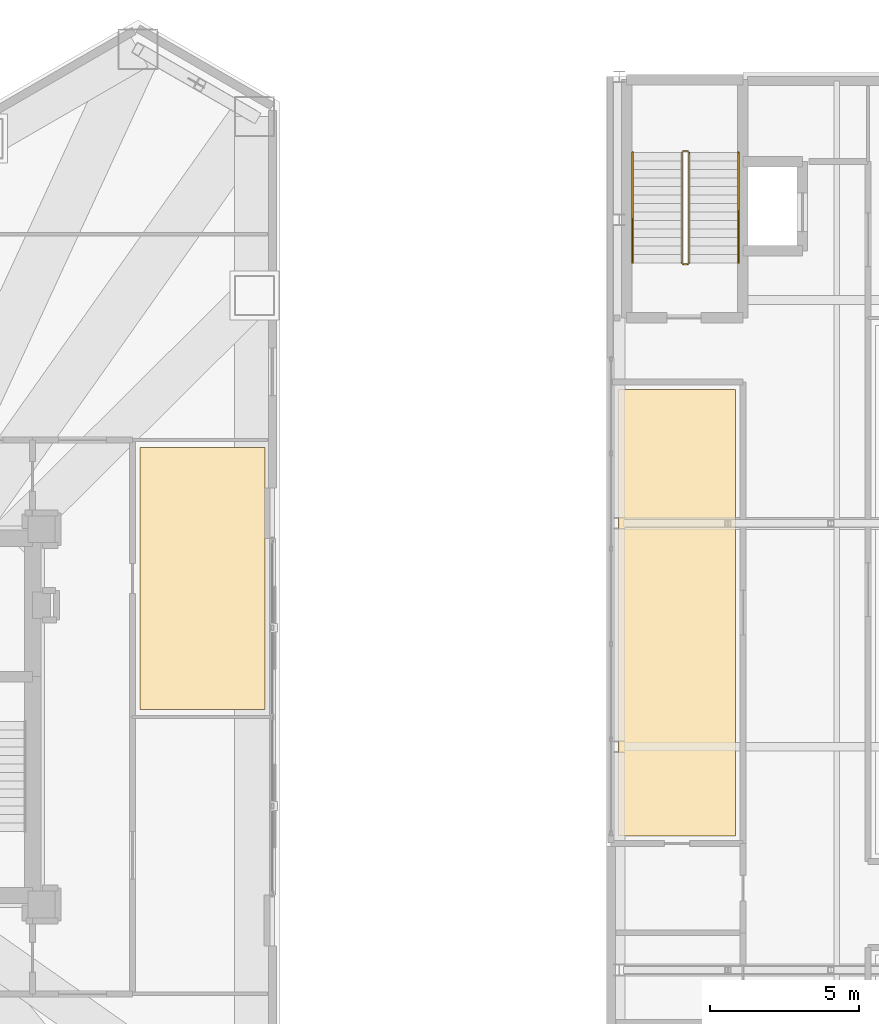
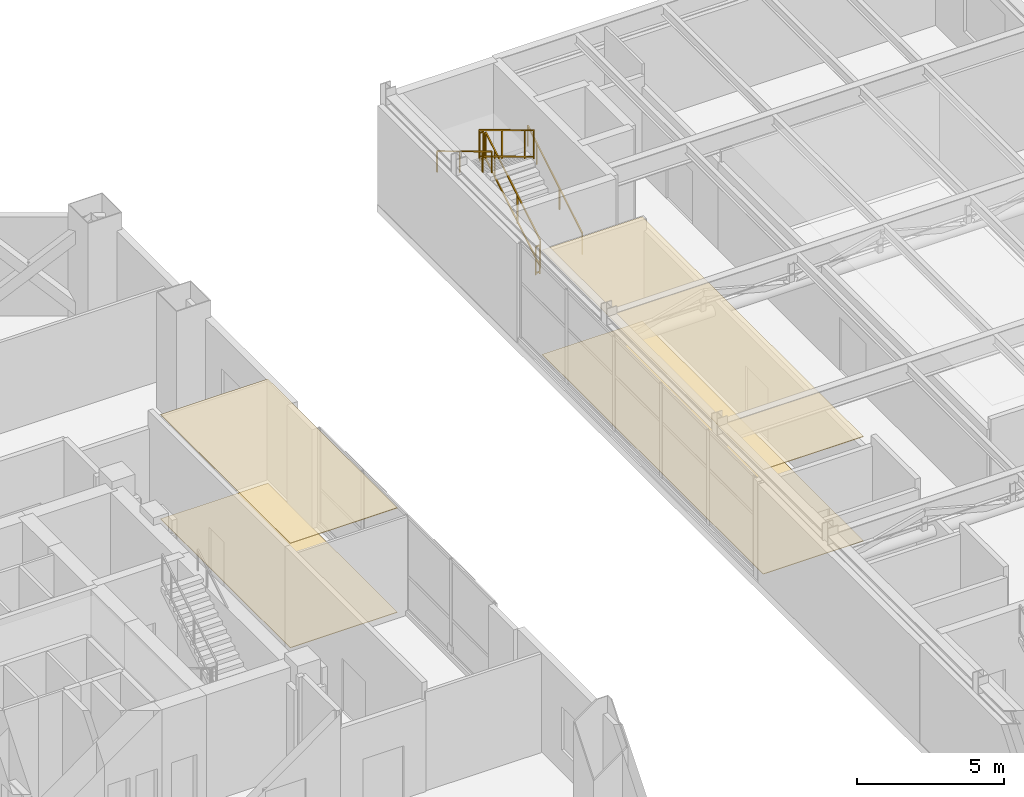
# One storey, part 28 of 29: 6 railings, 4 coverings.
"""IFC4 building model written with IfcOpenShell, lengths in metres."""

from ifc_helpers import new_model, si_unit, direction, frame, origin, origin_2d, place, context, subcontext, project, spatial, polyline, rectangle, outline, extrude, material, layer, layer_set, type_object, element, save


model = new_model("IFC4")

# Units and contexts
model_context = context("Model", 3, precision=1e-05, world=origin(), true_north=direction((0.0, 1.0)))
body_context = subcontext(model_context, "Body", "Model", "MODEL_VIEW")
ifc_project = project(units=[si_unit("LENGTHUNIT", "METRE"), si_unit("AREAUNIT", "SQUARE_METRE"), si_unit("VOLUMEUNIT", "CUBIC_METRE"), si_unit("PLANEANGLEUNIT", "RADIAN"), si_unit("MASSUNIT", "GRAM", prefix="KILO")], contexts=[model_context])

# Site, building, storey
site_placement = place(None, origin())
site = spatial("IfcSite", under=ifc_project, at=site_placement, CompositionType="ELEMENT")
building_placement = place(site_placement, origin())
building = spatial("IfcBuilding", under=site, at=building_placement, Name="Mersakhor Tower and Convention Hall", CompositionType="ELEMENT")
storey_placement = place(building_placement, frame((0.0, 0.0, 9.60009765625)))
storey = spatial("IfcBuildingStorey", under=building, at=storey_placement, Name="L02", CompositionType="ELEMENT", Elevation=9.60009765625)

# Coverings
ifc_material_1 = material(Name="Acoustic mineral-fibre suspended ceiling", Category="other")
ifc_layer_1 = layer(ifc_material_1, 0.02490234375)
ifc_layer_set_1 = layer_set([ifc_layer_1], Name="Acoustic mineral-fibre suspended ceiling")
covering_type_1 = type_object("IfcCoveringType", Name="COV-CLG-25", PredefinedType="CEILING", material=ifc_layer_set_1)
covering_1_placement = place(storey_placement, frame((0.0, 0.0, 4.31982421875)))
element("IfcCovering", 1, at=covering_1_placement, inside=storey, type_object=covering_type_1, Name="L02 Plenary Pre-Function Gallery Acoustic Suspended Ceiling", PredefinedType="CEILING", context=body_context, shape_type="SweptSolid", body=[
    extrude(outline(polyline([(55.47509765625, 37.75), (59.39990234375, 37.75), (59.39990234375, 22.75), (55.47509765625, 22.75), (55.47509765625, 37.75)])), origin(), (0.0, 0.0, 1.0), 0.025146484375),
])
covering_2_placement = place(storey_placement, frame((0.0, 0.0, 4.31982421875)))
element("IfcCovering", 2, at=covering_2_placement, inside=storey, type_object=covering_type_1, Name="L02 Patient Waiting Lounge Acoustic Suspended Ceiling", PredefinedType="CEILING", context=body_context, shape_type="SweptSolid", body=[
    extrude(outline(polyline([(39.39990234375, 27.0), (39.39990234375, 35.800048828125), (43.60009765625, 35.800048828125), (43.60009765625, 27.0), (39.39990234375, 27.0)])), origin(), (0.0, 0.0, 1.0), 0.025146484375),
])
ifc_material_2 = material(Name="Polished porcelain tile flooring", Category="other")
ifc_layer_2 = layer(ifc_material_2, 0.02001953125)
ifc_layer_set_2 = layer_set([ifc_layer_2], Name="Polished porcelain tile flooring")
covering_type_2 = type_object("IfcCoveringType", Name="COV-FLR-20", PredefinedType="FLOORING", material=ifc_layer_set_2)
covering_3_placement = place(storey_placement, origin())
element("IfcCovering", 3, at=covering_3_placement, inside=storey, type_object=covering_type_2, Name="L02 Plenary Pre-Function Gallery Porcelain Floor Finish", PredefinedType="FLOORING", context=body_context, shape_type="SweptSolid", body=[
    extrude(outline(polyline([(55.47509765625, 37.75), (59.39990234375, 37.75), (59.39990234375, 22.75), (55.47509765625, 22.75), (55.47509765625, 37.75)])), origin(), (0.0, 0.0, 1.0), 0.02001953125),
])
covering_4_placement = place(storey_placement, origin())
element("IfcCovering", 4, at=covering_4_placement, inside=storey, type_object=covering_type_2, Name="L02 Patient Waiting Lounge Porcelain Floor Finish", PredefinedType="FLOORING", context=body_context, shape_type="SweptSolid", body=[
    extrude(outline(polyline([(39.39990234375, 27.0), (39.39990234375, 35.800048828125), (43.60009765625, 35.800048828125), (43.60009765625, 27.0), (39.39990234375, 27.0)])), origin(), (0.0, 0.0, 1.0), 0.02001953125),
])

# Railings
ifc_material_3 = material(Name="Brushed stainless steel handrail", Category="steel")
railing_type_1 = type_object("IfcRailingType", Name="RL-HR-900", PredefinedType="HANDRAIL", material=ifc_material_3)
railing_1_placement = place(storey_placement, frame((59.5, 42.0, 0.17138671875)))
element("IfcRailing", 5, at=railing_1_placement, inside=storey, type_object=railing_type_1, Name="L02 CH-ST2 stair handrail 1", PredefinedType="HANDRAIL", context=body_context, shape_type="SweptSolid", body=[
    extrude(rectangle(XDim=0.048095703125, YDim=0.048095703125, at=origin_2d()), frame((0.0, 0.0, 0.8759765625), z_axis=(0.0, 0.856934400257, 0.515425487977), x_axis=(-1.0, 0.0, 0.0)), (0.0, 0.0, 1.0), 4.32373046875),
    extrude(rectangle(XDim=0.0419921875, YDim=0.0419921875, at=origin_2d()), origin(), (0.0, 0.0, 1.0), 0.851806640625),
    extrude(rectangle(XDim=0.0419921875, YDim=0.0419921875, at=origin_2d()), frame((0.0, 1.54248046875, 0.927734375)), (0.0, 0.0, 1.0), 0.851806640625),
    extrude(rectangle(XDim=0.0419921875, YDim=0.0419921875, at=origin_2d()), frame((0.0, 3.0849609375, 1.85546875)), (0.0, 0.0, 1.0), 0.851806640625),
    extrude(rectangle(XDim=0.0419921875, YDim=0.0419921875, at=origin_2d()), frame((0.0, 3.705078125, 2.228515625)), (0.0, 0.0, 1.0), 0.851806640625),
])
railing_2_placement = place(storey_placement, frame((55.949951171875, 45.705078125, 2.5712890625)))
element("IfcRailing", 6, at=railing_2_placement, inside=storey, type_object=railing_type_1, Name="L02 CH-ST2 stair handrail 2", PredefinedType="HANDRAIL", context=body_context, shape_type="SweptSolid", body=[
    extrude(rectangle(XDim=0.048095703125, YDim=0.048095703125, at=origin_2d()), frame((0.0, 0.0, 0.8759765625), z_axis=(0.0, -0.856934400257, 0.515425487977), x_axis=(1.0, 0.0, 0.0)), (0.0, 0.0, 1.0), 4.32373046875),
    extrude(rectangle(XDim=0.0419921875, YDim=0.0419921875, at=origin_2d()), origin(), (0.0, 0.0, 1.0), 0.851806640625),
    extrude(rectangle(XDim=0.0419921875, YDim=0.0419921875, at=origin_2d()), frame((0.0, -1.54248046875, 0.927734375)), (0.0, 0.0, 1.0), 0.851806640625),
    extrude(rectangle(XDim=0.0419921875, YDim=0.0419921875, at=origin_2d()), frame((0.0, -3.0849609375, 1.85546875)), (0.0, 0.0, 1.0), 0.851806640625),
    extrude(rectangle(XDim=0.0419921875, YDim=0.0419921875, at=origin_2d()), frame((0.0, -3.705078125, 2.228515625)), (0.0, 0.0, 1.0), 0.851806640625),
])
ifc_material_4 = material(Name="Painted steel stair balustrade S355", Category="steel")
railing_type_2 = type_object("IfcRailingType", Name="RL-STG-1200", PredefinedType="BALUSTRADE", material=ifc_material_4)
railing_3_placement = place(storey_placement, frame((57.85009765625, 42.0, 0.17138671875)))
element("IfcRailing", 7, at=railing_3_placement, inside=storey, type_object=railing_type_2, Name="L02 CH-ST2 stair guard 1", PredefinedType="BALUSTRADE", context=body_context, shape_type="SweptSolid", body=[
    extrude(rectangle(XDim=0.048095703125, YDim=0.048095703125, at=origin_2d()), frame((0.0, 0.0, 1.17578125), z_axis=(0.0, 0.856934400257, 0.515425487977), x_axis=(-1.0, 0.0, 0.0)), (0.0, 0.0, 1.0), 4.32373046875),
    extrude(rectangle(XDim=0.048095703125, YDim=0.048095703125, at=origin_2d()), frame((0.0, 0.0, 0.080078125), z_axis=(0.0, 0.856934400257, 0.515425487977), x_axis=(-1.0, 0.0, 0.0)), (0.0, 0.0, 1.0), 4.32373046875),
    extrude(rectangle(XDim=0.0419921875, YDim=0.0419921875, at=origin_2d()), origin(), (0.0, 0.0, 1.0), 1.15185546875),
    extrude(rectangle(XDim=0.0419921875, YDim=0.0419921875, at=origin_2d()), frame((0.0, 1.54248046875, 0.927734375)), (0.0, 0.0, 1.0), 1.15185546875),
    extrude(rectangle(XDim=0.0419921875, YDim=0.0419921875, at=origin_2d()), frame((0.0, 3.0849609375, 1.85546875)), (0.0, 0.0, 1.0), 1.15185546875),
    extrude(rectangle(XDim=0.0419921875, YDim=0.0419921875, at=origin_2d()), frame((0.0, 3.705078125, 2.228515625)), (0.0, 0.0, 1.0), 1.15185546875),
])
railing_4_placement = place(storey_placement, frame((57.800048828125, 45.7548828125, 2.39990234375)))
element("IfcRailing", 8, at=railing_4_placement, inside=storey, type_object=railing_type_2, Name="L02 CH-ST2 stair guard 2", PredefinedType="BALUSTRADE", context=body_context, shape_type="SweptSolid", body=[
    extrude(rectangle(XDim=0.048095703125, YDim=0.048095703125, at=origin_2d()), frame((0.0, 0.0, 1.17578125), z_axis=(-1.0, 0.0, 0.0), x_axis=(0.0, -1.0, 0.0)), (0.0, 0.0, 1.0), 0.150146484375),
    extrude(rectangle(XDim=0.048095703125, YDim=0.048095703125, at=origin_2d()), frame((0.0, 0.0, 0.080078125), z_axis=(-1.0, 0.0, 0.0), x_axis=(0.0, -1.0, 0.0)), (0.0, 0.0, 1.0), 0.150146484375),
    extrude(rectangle(XDim=0.0419921875, YDim=0.0419921875, at=origin_2d()), origin(), (0.0, 0.0, 1.0), 1.15185546875),
    extrude(rectangle(XDim=0.0419921875, YDim=0.0419921875, at=origin_2d()), frame((-0.150146484375, 0.0, 0.0)), (0.0, 0.0, 1.0), 1.15185546875),
])
railing_5_placement = place(storey_placement, frame((57.60009765625, 45.705078125, 2.5712890625)))
element("IfcRailing", 9, at=railing_5_placement, inside=storey, type_object=railing_type_2, Name="L02 CH-ST2 stair guard 3", PredefinedType="BALUSTRADE", context=body_context, shape_type="SweptSolid", body=[
    extrude(rectangle(XDim=0.048095703125, YDim=0.048095703125, at=origin_2d()), frame((0.0, 0.0, 1.17578125), z_axis=(0.0, -0.856934400257, 0.515425487977), x_axis=(1.0, 0.0, 0.0)), (0.0, 0.0, 1.0), 4.32373046875),
    extrude(rectangle(XDim=0.048095703125, YDim=0.048095703125, at=origin_2d()), frame((0.0, 0.0, 0.080078125), z_axis=(0.0, -0.856934400257, 0.515425487977), x_axis=(1.0, 0.0, 0.0)), (0.0, 0.0, 1.0), 4.32373046875),
    extrude(rectangle(XDim=0.0419921875, YDim=0.0419921875, at=origin_2d()), origin(), (0.0, 0.0, 1.0), 1.15185546875),
    extrude(rectangle(XDim=0.0419921875, YDim=0.0419921875, at=origin_2d()), frame((0.0, -1.54248046875, 0.927734375)), (0.0, 0.0, 1.0), 1.15185546875),
    extrude(rectangle(XDim=0.0419921875, YDim=0.0419921875, at=origin_2d()), frame((0.0, -3.0849609375, 1.85546875)), (0.0, 0.0, 1.0), 1.15185546875),
    extrude(rectangle(XDim=0.0419921875, YDim=0.0419921875, at=origin_2d()), frame((0.0, -3.705078125, 2.228515625)), (0.0, 0.0, 1.0), 1.15185546875),
])
railing_6_placement = place(storey_placement, frame((57.800048828125, 41.949951171875, 0.0)))
element("IfcRailing", 10, at=railing_6_placement, inside=storey, type_object=railing_type_2, Name="L02 CH-ST2 stair guard 4", PredefinedType="BALUSTRADE", context=body_context, shape_type="SweptSolid", body=[
    extrude(rectangle(XDim=0.048095703125, YDim=0.048095703125, at=origin_2d()), frame((0.0, 0.0, 1.17578125), z_axis=(-1.0, 0.0, 0.0), x_axis=(0.0, -1.0, 0.0)), (0.0, 0.0, 1.0), 0.150146484375),
    extrude(rectangle(XDim=0.048095703125, YDim=0.048095703125, at=origin_2d()), frame((0.0, 0.0, 0.080078125), z_axis=(-1.0, 0.0, 0.0), x_axis=(0.0, -1.0, 0.0)), (0.0, 0.0, 1.0), 0.150146484375),
    extrude(rectangle(XDim=0.0419921875, YDim=0.0419921875, at=origin_2d()), origin(), (0.0, 0.0, 1.0), 1.15185546875),
    extrude(rectangle(XDim=0.0419921875, YDim=0.0419921875, at=origin_2d()), frame((-0.150146484375, 0.0, 0.0)), (0.0, 0.0, 1.0), 1.15185546875),
])

save(model, "model.ifc")
